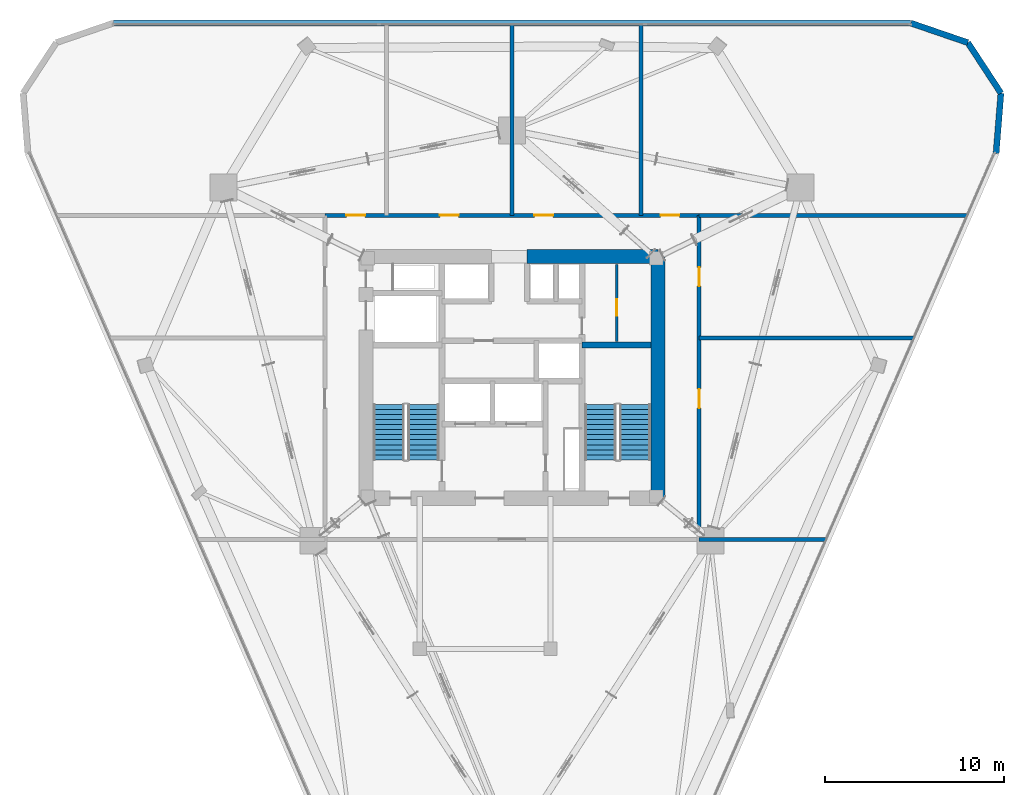
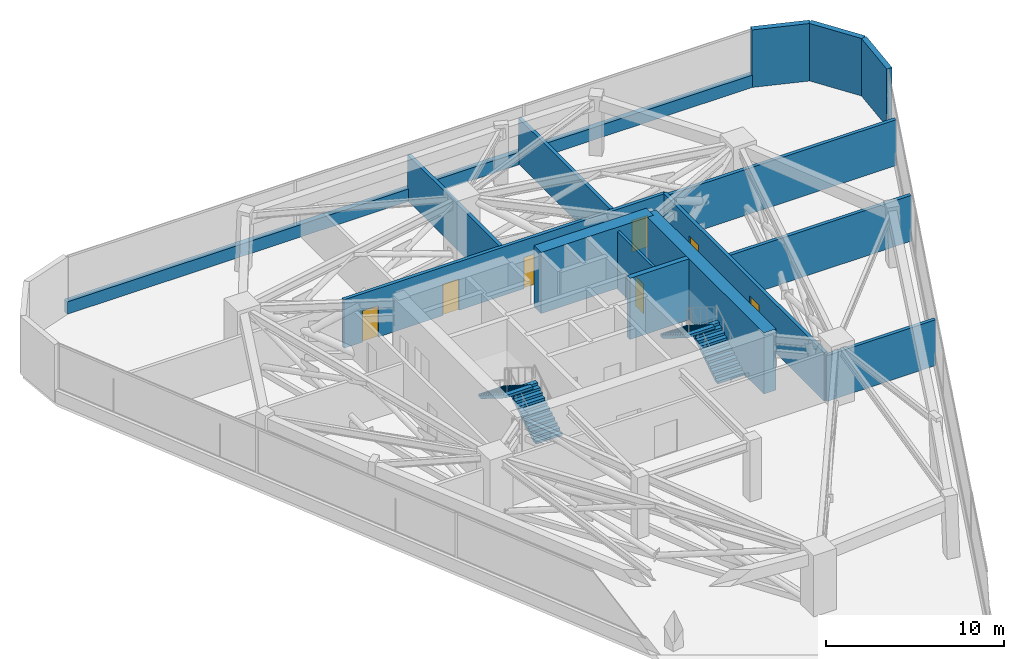
# One storey, part 12 of 13: 15 walls, 7 doors, 4 stair flights, 7 openings, 2 elements without a shape of their own.
"""IFC4 building model written with IfcOpenShell, lengths in metres."""

from ifc_helpers import new_model, si_unit, direction, frame, frame_2d, origin, place, context, subcontext, project, spatial, polyline, rectangle, outline, extrude, material, layer, layer_set, type_object, element, fill, aggregate, save


model = new_model("IFC4")

# Units and contexts
model_context = context("Model", 3, precision=1e-05, world=origin(), true_north=direction((0.0, 1.0)))
body_context = subcontext(model_context, "Body", "Model", "MODEL_VIEW")
ifc_project = project(units=[si_unit("LENGTHUNIT", "METRE"), si_unit("AREAUNIT", "SQUARE_METRE"), si_unit("VOLUMEUNIT", "CUBIC_METRE"), si_unit("PLANEANGLEUNIT", "RADIAN"), si_unit("MASSUNIT", "GRAM", prefix="KILO")], contexts=[model_context])

# Site, building, storey
site_placement = place(None, origin())
site = spatial("IfcSite", under=ifc_project, at=site_placement, CompositionType="ELEMENT")
building_placement = place(site_placement, origin())
building = spatial("IfcBuilding", under=site, at=building_placement, Name="Talyreon Biosciences Tower", CompositionType="ELEMENT")
storey_placement = place(building_placement, frame((0.0, 0.0, 175.199951171875)))
storey = spatial("IfcBuildingStorey", under=building, at=storey_placement, Name="L46", CompositionType="ELEMENT", Elevation=175.199951171875)

# Walls
ifc_material_1 = material(Name="Concrete C50/60", Category="concrete")
ifc_layer_1 = layer(ifc_material_1, 0.320068359375)
ifc_layer_set_1 = layer_set([ifc_layer_1], Name="Concrete C50/60")
wall_type_1 = type_object("IfcWallType", Name="CoreShearWall_320", PredefinedType="SHEAR", material=ifc_layer_set_1)
wall_1_placement = place(storey_placement, frame((69.909912109375, 69.81005859375, 0.0), z_axis=(0.0, 0.0, 1.0), x_axis=(1.0, 0.0, 0.0)))
element("IfcWall", 1, at=wall_1_placement, inside=storey, type_object=wall_type_1, Name="L46 Core Shaft Wall SW2N", PredefinedType="SHEAR", context=body_context, shape_type="SweptSolid", body=[
    extrude(rectangle(XDim=3.840087890625, YDim=0.320068359375, at=frame_2d((1.919921875, 0.0))), origin(), (0.0, 0.0, 1.0), 4.199951171875),
])
ifc_material_2 = material(Name="Concrete C60/75", Category="concrete")
ifc_layer_2 = layer(ifc_material_2, 0.800048828125)
ifc_layer_set_2 = layer_set([ifc_layer_2], Name="Concrete C60/75")
wall_type_2 = type_object("IfcWallType", Name="CoreShearWall_800", PredefinedType="SHEAR", material=ifc_layer_set_2)
wall_2_placement = place(storey_placement, frame((74.14990234375, 61.25, 0.0), z_axis=(0.0, 0.0, 1.0), x_axis=(0.0, 1.0, 0.0)))
element("IfcWall", 2, at=wall_2_placement, inside=storey, type_object=wall_type_2, Name="L46 Core Shear Wall E", PredefinedType="SHEAR", context=body_context, shape_type="SweptSolid", body=[
    extrude(rectangle(XDim=13.5, YDim=0.800048828125, at=frame_2d((6.75, 0.0))), origin(), (0.0, 0.0, 1.0), 4.199951171875),
])
wall_3_placement = place(storey_placement, frame((74.14990234375, 74.75, 0.0), z_axis=(0.0, 0.0, 1.0), x_axis=(-1.0, 0.0, 0.0)))
element("IfcWall", 3, at=wall_3_placement, inside=storey, type_object=wall_type_2, Name="L46 Core Shear Wall NE", PredefinedType="SHEAR", context=body_context, shape_type="SweptSolid", body=[
    extrude(rectangle(XDim=7.2998046875, YDim=0.800048828125, at=frame_2d((3.64990234375, 0.0))), origin(), (0.0, 0.0, 1.0), 4.199951171875),
])
ifc_material_3 = material(Name="Gypsum fireboard acoustic stud", Category="gypsum")
ifc_layer_3 = layer(ifc_material_3, 0.219970703125)
ifc_layer_set_3 = layer_set([ifc_layer_3], Name="Gypsum fireboard acoustic stud")
wall_type_3 = type_object("IfcWallType", Name="CorridorRatedPartition_220", PredefinedType="PARTITIONING", material=ifc_layer_set_3)
for number, where, z_axis, x_axis, name in (
    (4, (66.0, 77.050048828125, 0.0), (0.0, 0.0, 1.0), (0.0, 1.0, 0.0), "L46 Interior Wall IW-L46-ND2"),
    (5, (73.199951171875, 77.050048828125, 0.0), (0.0, 0.0, 1.0), (0.0, 1.0, 0.0), "L46 Interior Wall IW-L46-ND3"),
):
    element("IfcWall", number, at=place(storey_placement, frame(where, z_axis=z_axis, x_axis=x_axis)), inside=storey, type_object=wall_type_3, Name=name, PredefinedType="PARTITIONING", context=body_context, shape_type="SweptSolid", body=[
        extrude(rectangle(XDim=10.650634765625, YDim=0.219970703125, at=frame_2d((5.3251953125, 0.0))), origin(), (0.0, 0.0, 1.0), 3.150146484375),
    ])
wall_4_placement = place(storey_placement, frame((76.449951171875, 77.050048828125, 0.0), z_axis=(0.0, 0.0, 1.0), x_axis=(1.0, 0.0, 0.0)))
element("IfcWall", 6, at=wall_4_placement, inside=storey, type_object=wall_type_3, Name="L46 Interior Wall IW-L46-NDIV-NE", PredefinedType="PARTITIONING", context=body_context, shape_type="SweptSolid", body=[
    extrude(rectangle(XDim=14.979736328125, YDim=0.219970703125, at=frame_2d((7.48974609375, 0.0))), origin(), (0.0, 0.0, 1.0), 3.150146484375),
])
wall_5_placement = place(storey_placement, frame((76.449951171875, 70.199951171875, 0.0), z_axis=(0.0, 0.0, 1.0), x_axis=(1.0, 0.0, 0.0)))
element("IfcWall", 7, at=wall_5_placement, inside=storey, type_object=wall_type_3, Name="L46 Interior Wall IW-L46-ED1", PredefinedType="PARTITIONING", context=body_context, shape_type="SweptSolid", body=[
    extrude(rectangle(XDim=11.996337890625, YDim=0.219970703125, at=frame_2d((5.998046875, 0.0))), origin(), (0.0, 0.0, 1.0), 3.150146484375),
])
wall_6_placement = place(storey_placement, frame((76.449951171875, 58.949951171875, 0.0), z_axis=(0.0, 0.0, 1.0), x_axis=(1.0, 0.0, 0.0)))
element("IfcWall", 8, at=wall_6_placement, inside=storey, type_object=wall_type_3, Name="L46 Interior Wall IW-L46-PDIV-SE", PredefinedType="PARTITIONING", context=body_context, shape_type="SweptSolid", body=[
    extrude(rectangle(XDim=7.0966796875, YDim=0.219970703125, at=frame_2d((3.54833984375, 0.0))), origin(), (0.0, 0.0, 1.0), 3.150146484375),
])

# Wall, openings, doors
wall_7_placement = place(storey_placement, frame((76.449951171875, 58.949951171875, 0.0), z_axis=(0.0, 0.0, 1.0), x_axis=(0.0, 1.0, 0.0)))
wall_7 = element("IfcWall", 9, at=wall_7_placement, inside=storey, type_object=wall_type_3, Name="L46 Interior Wall IW-L46-PC-E", PredefinedType="PARTITIONING", context=body_context, shape_type="SweptSolid", body=[
    extrude(rectangle(XDim=18.10009765625, YDim=0.219970703125, at=frame_2d((9.050048828125, 0.0))), origin(), (0.0, 0.0, 1.0), 3.330078125),
])
opening_1_placement = place(wall_7_placement, frame((7.340087890625, 0.0, 0.0)))
opening_1 = element("IfcOpeningElement", 10, at=opening_1_placement, cuts=wall_7, Name="Opening DR-L46-PL-EB", PredefinedType="OPENING", context=body_context, shape_type="SweptSolid", body=[
    extrude(rectangle(XDim=1.050048828125, YDim=2.14990234375, at=frame_2d((0.52490234375, 1.074951171875))), frame((0.0, 0.119873046875, 0.0), z_axis=(0.0, -1.0, 0.0), x_axis=(1.0, 0.0, 0.0)), (0.0, 0.0, 1.0), 0.239990234375),
])
opening_2_placement = place(wall_7_placement, frame((14.14990234375, 0.0, 0.0)))
opening_2 = element("IfcOpeningElement", 11, at=opening_2_placement, cuts=wall_7, Name="Opening DR-L46-PL-EA", PredefinedType="OPENING", context=body_context, shape_type="SweptSolid", body=[
    extrude(rectangle(XDim=1.050048828125, YDim=2.14990234375, at=frame_2d((0.52490234375, 1.074951171875))), frame((0.0, 0.119873046875, 0.0), z_axis=(0.0, -1.0, 0.0), x_axis=(1.0, 0.0, 0.0)), (0.0, 0.0, 1.0), 0.239990234375),
])
ifc_material_4 = material(Name="Acoustic timber-core laboratory door", Category="wood")
door_type_1 = type_object("IfcDoorType", Name="DryLabSingleDoor_1050x2150", OperationType="NOTDEFINED", PredefinedType="DOOR", material=ifc_material_4)
door_1_placement = place(opening_1_placement, origin())
door_1 = element("IfcDoor", 12, at=door_1_placement, inside=storey, type_object=door_type_1, Name="L46 Interior Door DR-L46-PL-EB", OperationType="SINGLE_SWING_RIGHT", OverallHeight=2.14990234375, OverallWidth=1.050048828125, PredefinedType="DOOR", context=body_context, shape_type="SweptSolid", body=[
    extrude(rectangle(XDim=1.050048828125, YDim=2.14990234375, at=frame_2d((0.52490234375, 1.074951171875))), frame((0.0, 0.02490234375, 0.0), z_axis=(0.0, -1.0, 0.0), x_axis=(1.0, 0.0, 0.0)), (0.0, 0.0, 1.0), 0.050048828125),
])
fill(opening_1, door_1)
door_2_placement = place(opening_2_placement, origin())
door_2 = element("IfcDoor", 13, at=door_2_placement, inside=storey, type_object=door_type_1, Name="L46 Interior Door DR-L46-PL-EA", OperationType="SINGLE_SWING_RIGHT", OverallHeight=2.14990234375, OverallWidth=1.050048828125, PredefinedType="DOOR", context=body_context, shape_type="SweptSolid", body=[
    extrude(rectangle(XDim=1.050048828125, YDim=2.14990234375, at=frame_2d((0.52490234375, 1.074951171875))), frame((0.0, 0.02490234375, 0.0), z_axis=(0.0, -1.0, 0.0), x_axis=(1.0, 0.0, 0.0)), (0.0, 0.0, 1.0), 0.050048828125),
])
fill(opening_2, door_2)

wall_8_placement = place(storey_placement, frame((55.550048828125, 77.050048828125, 0.0), z_axis=(0.0, 0.0, 1.0), x_axis=(1.0, 0.0, 0.0)))
wall_8 = element("IfcWall", 14, at=wall_8_placement, inside=storey, type_object=wall_type_3, Name="L46 Interior Wall IW-L46-PC-N", PredefinedType="PARTITIONING", context=body_context, shape_type="SweptSolid", body=[
    extrude(rectangle(XDim=20.89990234375, YDim=0.219970703125, at=frame_2d((10.449951171875, 0.0))), origin(), (0.0, 0.0, 1.0), 3.330078125),
])
opening_3_placement = place(wall_8_placement, frame((1.199951171875, 0.0, 0.0)))
opening_3 = element("IfcOpeningElement", 15, at=opening_3_placement, cuts=wall_8, Name="Opening DR-L46-PL-NWA", PredefinedType="OPENING", context=body_context, shape_type="SweptSolid", body=[
    extrude(rectangle(XDim=1.050048828125, YDim=2.14990234375, at=frame_2d((0.52490234375, 1.074951171875))), frame((0.0, 0.119873046875, 0.0), z_axis=(0.0, -1.0, 0.0), x_axis=(1.0, 0.0, 0.0)), (0.0, 0.0, 1.0), 0.239990234375),
])
opening_4_placement = place(wall_8_placement, frame((6.425048828125, 0.0, 0.0)))
opening_4 = element("IfcOpeningElement", 16, at=opening_4_placement, cuts=wall_8, Name="Opening DR-L46-PL-NWB", PredefinedType="OPENING", context=body_context, shape_type="SweptSolid", body=[
    extrude(rectangle(XDim=1.050048828125, YDim=2.14990234375, at=frame_2d((0.52490234375, 1.074951171875))), frame((0.0, 0.119873046875, 0.0), z_axis=(0.0, -1.0, 0.0), x_axis=(1.0, 0.0, 0.0)), (0.0, 0.0, 1.0), 0.239990234375),
])
opening_5_placement = place(wall_8_placement, frame((11.701904296875, 0.0, 0.0)))
opening_5 = element("IfcOpeningElement", 17, at=opening_5_placement, cuts=wall_8, Name="Opening DR-L46-PL-NEA", PredefinedType="OPENING", context=body_context, shape_type="SweptSolid", body=[
    extrude(rectangle(XDim=1.050048828125, YDim=2.14990234375, at=frame_2d((0.52490234375, 1.074951171875))), frame((0.0, 0.119873046875, 0.0), z_axis=(0.0, -1.0, 0.0), x_axis=(1.0, 0.0, 0.0)), (0.0, 0.0, 1.0), 0.239990234375),
])
opening_6_placement = place(wall_8_placement, frame((18.75, 0.0, 0.0)))
opening_6 = element("IfcOpeningElement", 18, at=opening_6_placement, cuts=wall_8, Name="Opening DR-L46-PL-NEB", PredefinedType="OPENING", context=body_context, shape_type="SweptSolid", body=[
    extrude(rectangle(XDim=1.050048828125, YDim=2.14990234375, at=frame_2d((0.52490234375, 1.074951171875))), frame((0.0, 0.119873046875, 0.0), z_axis=(0.0, -1.0, 0.0), x_axis=(1.0, 0.0, 0.0)), (0.0, 0.0, 1.0), 0.239990234375),
])
door_3_placement = place(opening_3_placement, origin())
door_3 = element("IfcDoor", 19, at=door_3_placement, inside=storey, type_object=door_type_1, Name="L46 Interior Door DR-L46-PL-NWA", OperationType="SINGLE_SWING_RIGHT", OverallHeight=2.14990234375, OverallWidth=1.050048828125, PredefinedType="DOOR", context=body_context, shape_type="SweptSolid", body=[
    extrude(rectangle(XDim=1.050048828125, YDim=2.14990234375, at=frame_2d((0.52490234375, 1.074951171875))), frame((0.0, 0.02490234375, 0.0), z_axis=(0.0, -1.0, 0.0), x_axis=(1.0, 0.0, 0.0)), (0.0, 0.0, 1.0), 0.050048828125),
])
fill(opening_3, door_3)
door_4_placement = place(opening_4_placement, origin())
door_4 = element("IfcDoor", 20, at=door_4_placement, inside=storey, type_object=door_type_1, Name="L46 Interior Door DR-L46-PL-NWB", OperationType="SINGLE_SWING_RIGHT", OverallHeight=2.14990234375, OverallWidth=1.050048828125, PredefinedType="DOOR", context=body_context, shape_type="SweptSolid", body=[
    extrude(rectangle(XDim=1.050048828125, YDim=2.14990234375, at=frame_2d((0.52490234375, 1.074951171875))), frame((0.0, 0.02490234375, 0.0), z_axis=(0.0, -1.0, 0.0), x_axis=(1.0, 0.0, 0.0)), (0.0, 0.0, 1.0), 0.050048828125),
])
fill(opening_4, door_4)
door_5_placement = place(opening_5_placement, origin())
door_5 = element("IfcDoor", 21, at=door_5_placement, inside=storey, type_object=door_type_1, Name="L46 Interior Door DR-L46-PL-NEA", OperationType="SINGLE_SWING_LEFT", OverallHeight=2.14990234375, OverallWidth=1.050048828125, PredefinedType="DOOR", context=body_context, shape_type="SweptSolid", body=[
    extrude(rectangle(XDim=1.050048828125, YDim=2.14990234375, at=frame_2d((0.52490234375, 1.074951171875))), frame((0.0, 0.02490234375, 0.0), z_axis=(0.0, -1.0, 0.0), x_axis=(1.0, 0.0, 0.0)), (0.0, 0.0, 1.0), 0.050048828125),
])
fill(opening_5, door_5)
door_6_placement = place(opening_6_placement, origin())
door_6 = element("IfcDoor", 22, at=door_6_placement, inside=storey, type_object=door_type_1, Name="L46 Interior Door DR-L46-PL-NEB", OperationType="SINGLE_SWING_RIGHT", OverallHeight=2.14990234375, OverallWidth=1.050048828125, PredefinedType="DOOR", context=body_context, shape_type="SweptSolid", body=[
    extrude(rectangle(XDim=1.050048828125, YDim=2.14990234375, at=frame_2d((0.52490234375, 1.074951171875))), frame((0.0, 0.02490234375, 0.0), z_axis=(0.0, -1.0, 0.0), x_axis=(1.0, 0.0, 0.0)), (0.0, 0.0, 1.0), 0.050048828125),
])
fill(opening_6, door_6)

# Wall, opening, door
ifc_material_5 = material(Name="Gypsum acoustic stud partition", Category="gypsum")
ifc_layer_4 = layer(ifc_material_5, 0.159912109375)
ifc_layer_set_4 = layer_set([ifc_layer_4], Name="Gypsum acoustic stud partition")
wall_type_4 = type_object("IfcWallType", Name="LabSeparationPartition_160", PredefinedType="PARTITIONING", material=ifc_layer_set_4)
wall_9_placement = place(storey_placement, frame((71.85009765625, 70.0, 0.0), z_axis=(0.0, 0.0, 1.0), x_axis=(0.0, 1.0, 0.0)))
wall_9 = element("IfcWall", 23, at=wall_9_placement, inside=storey, type_object=wall_type_4, Name="L46 Interior Wall IW-L46-CSRV-V", PredefinedType="PARTITIONING", context=body_context, shape_type="SweptSolid", body=[
    extrude(rectangle(XDim=4.300048828125, YDim=0.159912109375, at=frame_2d((2.14990234375, 0.0))), origin(), (0.0, 0.0, 1.0), 3.949951171875),
])
opening_7_placement = place(wall_9_placement, frame((1.449951171875, 0.0, 0.0)))
opening_7 = element("IfcOpeningElement", 24, at=opening_7_placement, cuts=wall_9, Name="Opening DR-L46-CSRV-I", PredefinedType="OPENING", context=body_context, shape_type="SweptSolid", body=[
    extrude(rectangle(XDim=0.919921875, YDim=2.050048828125, at=frame_2d((0.4599609375, 1.02490234375))), frame((0.0, 0.08984375, 0.0), z_axis=(0.0, -1.0, 0.0), x_axis=(1.0, 0.0, 0.0)), (0.0, 0.0, 1.0), 0.179931640625),
])
ifc_material_6 = material(Name="Painted steel fire-rated riser door", Category="steel")
door_type_2 = type_object("IfcDoorType", Name="RiserPlantAccessDoor_920x2050", OperationType="NOTDEFINED", PredefinedType="DOOR", material=ifc_material_6)
door_7_placement = place(opening_7_placement, origin())
door_7 = element("IfcDoor", 25, at=door_7_placement, inside=storey, type_object=door_type_2, Name="L46 Interior Door DR-L46-CSRV-I", OperationType="SINGLE_SWING_RIGHT", OverallHeight=2.050048828125, OverallWidth=0.919921875, PredefinedType="DOOR", context=body_context, shape_type="SweptSolid", body=[
    extrude(rectangle(XDim=0.919921875, YDim=2.050048828125, at=frame_2d((0.4599609375, 1.02490234375))), frame((0.0, 0.02490234375, 0.0), z_axis=(0.0, -1.0, 0.0), x_axis=(1.0, 0.0, 0.0)), (0.0, 0.0, 1.0), 0.050048828125),
])
fill(opening_7, door_7)

# Walls
ifc_material_7 = material(Name="Precast concrete C45/55", Category="concrete")
ifc_layer_5 = layer(ifc_material_7, 0.340087890625)
ifc_layer_set_5 = layer_set([ifc_layer_5], Name="Precast concrete C45/55")
wall_type_5 = type_object("IfcWallType", Name="PrecastConcreteSpandrelWall_340", PredefinedType="STANDARD", material=ifc_layer_set_5)
wall_10_placement = place(storey_placement, frame((43.738525390625, 87.78564453125, 0.0), z_axis=(0.0, 0.0, 1.0), x_axis=(1.0, 0.0, 0.0)))
element("IfcWall", 26, at=wall_10_placement, inside=storey, type_object=wall_type_5, Name="L46 Expressed Concrete Sill Wall 04", PredefinedType="STANDARD", context=body_context, shape_type="SweptSolid", body=[
    extrude(rectangle(XDim=44.52294921875, YDim=0.340087890625, at=frame_2d((22.261474609375, 0.0))), origin(), (0.0, 0.0, 1.0), 0.85009765625),
])
wall_11_placement = place(storey_placement, frame((88.261474609375, 87.78564453125, 0.0), z_axis=(0.0, 0.0, 1.0), x_axis=(0.94595609767, -0.324294713618, 0.0)))
element("IfcWall", 27, at=wall_11_placement, inside=storey, type_object=wall_type_5, Name="L46 Rounded-Corner Concrete Pier 05", PredefinedType="STANDARD", context=body_context, shape_type="SweptSolid", body=[
    extrude(rectangle(XDim=3.372802734375, YDim=0.340087890625, at=frame_2d((1.6865234375, 0.0))), origin(), (0.0, 0.0, 1.0), 3.949951171875),
])
for number, where, z_axis, x_axis, name in (
    (28, (91.451904296875, 86.69189453125, 0.0), (0.0, 0.0, 1.0), (0.548083892996, -0.836423365431, 0.0), "L46 Rounded-Corner Concrete Pier 06"),
    (29, (93.30029296875, 83.87109375, 0.0), (0.0, 0.0, 1.0), (-0.080427112157, -0.996760492611, 0.0), "L46 Rounded-Corner Concrete Pier 07"),
):
    element("IfcWall", number, at=place(storey_placement, frame(where, z_axis=z_axis, x_axis=x_axis)), inside=storey, type_object=wall_type_5, Name=name, PredefinedType="STANDARD", context=body_context, shape_type="SweptSolid", body=[
        extrude(rectangle(XDim=3.37255859375, YDim=0.340087890625, at=frame_2d((1.686279296875, 0.0))), origin(), (0.0, 0.0, 1.0), 3.949951171875),
    ])

# Stair, stair flights
ifc_material_8 = material(Name="Concrete C40/50", Category="concrete")
stair_type = type_object("IfcStairType", Name="DoglegEscapeStair_4200", PredefinedType="HALF_TURN_STAIR", material=ifc_material_8)
stair_1_placement = place(storey_placement, origin())
stair_1 = element("IfcStair", 30, at=stair_1_placement, inside=storey, type_object=stair_type, Name="L46 Core Escape Stair 1", PredefinedType="HALF_TURN_STAIR")
stair_flight_type = type_object("IfcStairFlightType", Name="PrecastStairFlight_4200", PredefinedType="STRAIGHT", material=ifc_material_8)
stair_flight_1_placement = place(storey_placement, frame((61.06005859375, 63.39990234375, 0.0), z_axis=(0.0, 0.0, 1.0), x_axis=(0.0, 1.0, 0.0)))
stair_flight_1 = element("IfcStairFlight", 31, at=stair_flight_1_placement, type_object=stair_flight_type, Name="ST-1 flight 1", NumberOfRisers=12, NumberOfTreads=11, PredefinedType="STRAIGHT", RiserHeight=0.175, TreadLength=0.28, context=body_context, shape_type="SweptSolid", body=[
    extrude(outline(polyline([(0.0, 0.0), (0.0, 0.175048828125), (0.280029296875, 0.175048828125), (0.280029296875, 0.35009765625), (0.56005859375, 0.35009765625), (0.56005859375, 0.52490234375), (0.840087890625, 0.52490234375), (0.840087890625, 0.699951171875), (1.1201171875, 0.699951171875), (1.1201171875, 0.875), (1.39990234375, 0.875), (1.39990234375, 1.050048828125), (1.679931640625, 1.050048828125), (1.679931640625, 1.22509765625), (1.9599609375, 1.22509765625), (1.9599609375, 1.39990234375), (2.239990234375, 1.39990234375), (2.239990234375, 1.574951171875), (2.52001953125, 1.574951171875), (2.52001953125, 1.75), (2.800048828125, 1.75), (2.800048828125, 1.925048828125), (3.080078125, 1.925048828125), (3.080078125, 2.10009765625), (3.080078125, 1.748291015625), (0.28271484375, 0.0), (0.0, 0.0)])), frame((0.0, 0.8701171875, 0.0), z_axis=(0.0, -1.0, 0.0), x_axis=(1.0, 0.0, 0.0)), (0.0, 0.0, 1.0), 1.739990234375),
])
stair_flight_2_placement = place(storey_placement, frame((59.1201171875, 66.47998046875, 2.10009765625), z_axis=(0.0, 0.0, 1.0), x_axis=(0.0, -1.0, 0.0)))
stair_flight_2 = element("IfcStairFlight", 32, at=stair_flight_2_placement, type_object=stair_flight_type, Name="ST-1 flight 2", NumberOfRisers=12, NumberOfTreads=11, PredefinedType="STRAIGHT", RiserHeight=0.175, TreadLength=0.28, context=body_context, shape_type="SweptSolid", body=[
    extrude(outline(polyline([(0.0, 0.0), (0.0, 0.175048828125), (0.280029296875, 0.175048828125), (0.280029296875, 0.35009765625), (0.56005859375, 0.35009765625), (0.56005859375, 0.52490234375), (0.840087890625, 0.52490234375), (0.840087890625, 0.699951171875), (1.1201171875, 0.699951171875), (1.1201171875, 0.875), (1.39990234375, 0.875), (1.39990234375, 1.050048828125), (1.679931640625, 1.050048828125), (1.679931640625, 1.22509765625), (1.9599609375, 1.22509765625), (1.9599609375, 1.39990234375), (2.239990234375, 1.39990234375), (2.239990234375, 1.574951171875), (2.52001953125, 1.574951171875), (2.52001953125, 1.75), (2.800048828125, 1.75), (2.800048828125, 1.925048828125), (3.080078125, 1.925048828125), (3.080078125, 2.10009765625), (3.080078125, 1.748291015625), (0.28271484375, 0.0), (0.0, 0.0)])), frame((0.0, 0.8701171875, 0.0), z_axis=(0.0, -1.0, 0.0), x_axis=(1.0, 0.0, 0.0)), (0.0, 0.0, 1.0), 1.739990234375),
])
aggregate(stair_1, [stair_flight_1, stair_flight_2])

stair_2_placement = place(storey_placement, origin())
stair_2 = element("IfcStair", 33, at=stair_2_placement, inside=storey, type_object=stair_type, Name="L46 Core Escape Stair 2", PredefinedType="HALF_TURN_STAIR")
stair_flight_3_placement = place(storey_placement, frame((72.8798828125, 63.39990234375, 0.0), z_axis=(0.0, 0.0, 1.0), x_axis=(0.0, 1.0, 0.0)))
stair_flight_3 = element("IfcStairFlight", 34, at=stair_flight_3_placement, type_object=stair_flight_type, Name="ST-2 flight 1", NumberOfRisers=12, NumberOfTreads=11, PredefinedType="STRAIGHT", RiserHeight=0.175, TreadLength=0.28, context=body_context, shape_type="SweptSolid", body=[
    extrude(outline(polyline([(0.0, 0.0), (0.0, 0.175048828125), (0.280029296875, 0.175048828125), (0.280029296875, 0.35009765625), (0.56005859375, 0.35009765625), (0.56005859375, 0.52490234375), (0.840087890625, 0.52490234375), (0.840087890625, 0.699951171875), (1.1201171875, 0.699951171875), (1.1201171875, 0.875), (1.39990234375, 0.875), (1.39990234375, 1.050048828125), (1.679931640625, 1.050048828125), (1.679931640625, 1.22509765625), (1.9599609375, 1.22509765625), (1.9599609375, 1.39990234375), (2.239990234375, 1.39990234375), (2.239990234375, 1.574951171875), (2.52001953125, 1.574951171875), (2.52001953125, 1.75), (2.800048828125, 1.75), (2.800048828125, 1.925048828125), (3.080078125, 1.925048828125), (3.080078125, 2.10009765625), (3.080078125, 1.748291015625), (0.28271484375, 0.0), (0.0, 0.0)])), frame((0.0, 0.8701171875, 0.0), z_axis=(0.0, -1.0, 0.0), x_axis=(1.0, 0.0, 0.0)), (0.0, 0.0, 1.0), 1.739990234375),
])
stair_flight_4_placement = place(storey_placement, frame((70.93994140625, 66.47998046875, 2.10009765625), z_axis=(0.0, 0.0, 1.0), x_axis=(0.0, -1.0, 0.0)))
stair_flight_4 = element("IfcStairFlight", 35, at=stair_flight_4_placement, type_object=stair_flight_type, Name="ST-2 flight 2", NumberOfRisers=12, NumberOfTreads=11, PredefinedType="STRAIGHT", RiserHeight=0.175, TreadLength=0.28, context=body_context, shape_type="SweptSolid", body=[
    extrude(outline(polyline([(0.0, 0.0), (0.0, 0.175048828125), (0.280029296875, 0.175048828125), (0.280029296875, 0.35009765625), (0.56005859375, 0.35009765625), (0.56005859375, 0.52490234375), (0.840087890625, 0.52490234375), (0.840087890625, 0.699951171875), (1.1201171875, 0.699951171875), (1.1201171875, 0.875), (1.39990234375, 0.875), (1.39990234375, 1.050048828125), (1.679931640625, 1.050048828125), (1.679931640625, 1.22509765625), (1.9599609375, 1.22509765625), (1.9599609375, 1.39990234375), (2.239990234375, 1.39990234375), (2.239990234375, 1.574951171875), (2.52001953125, 1.574951171875), (2.52001953125, 1.75), (2.800048828125, 1.75), (2.800048828125, 1.925048828125), (3.080078125, 1.925048828125), (3.080078125, 2.10009765625), (3.080078125, 1.748291015625), (0.28271484375, 0.0), (0.0, 0.0)])), frame((0.0, 0.8701171875, 0.0), z_axis=(0.0, -1.0, 0.0), x_axis=(1.0, 0.0, 0.0)), (0.0, 0.0, 1.0), 1.739990234375),
])
aggregate(stair_2, [stair_flight_3, stair_flight_4])

save(model, "model.ifc")
